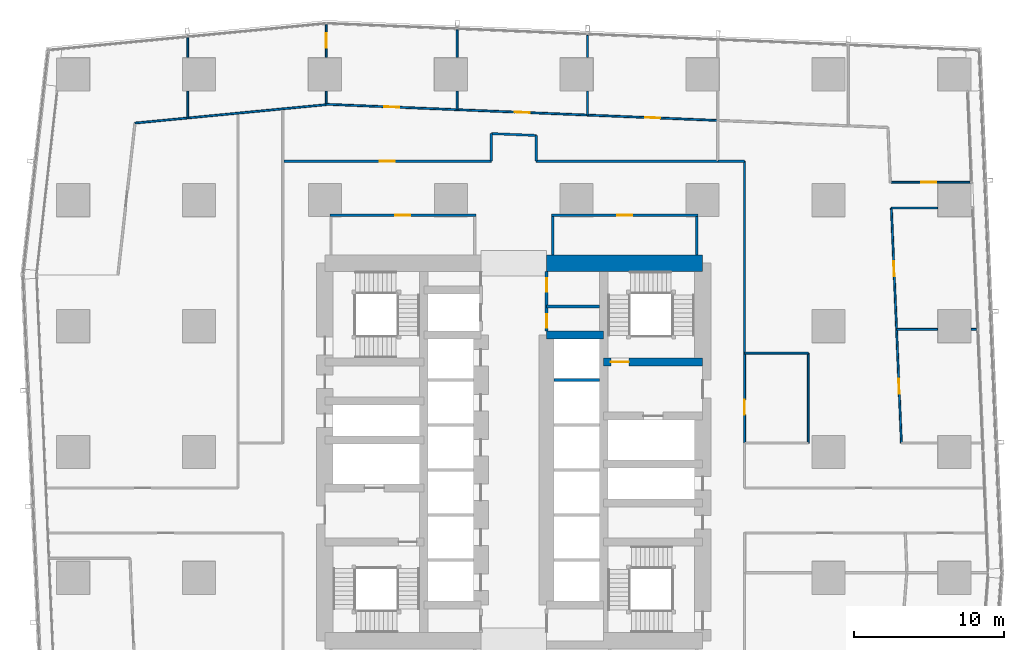
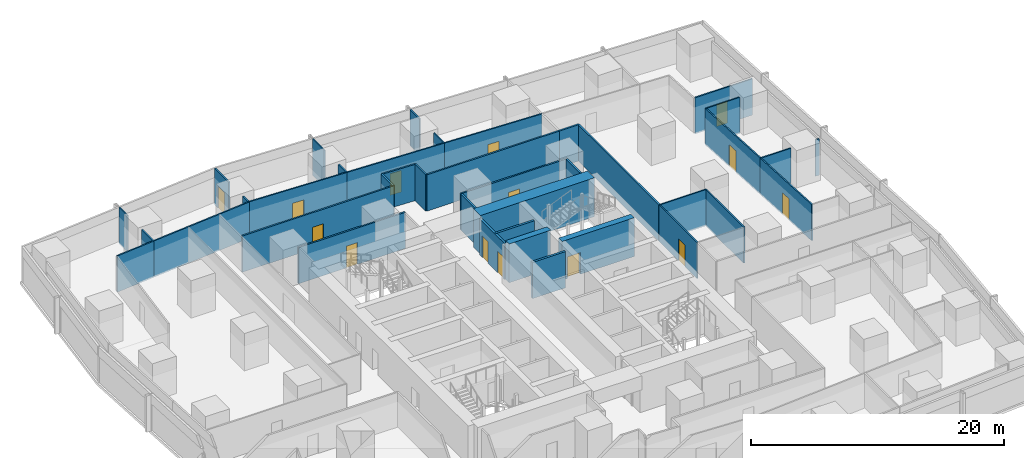
# One storey, part 34 of 44: 39 walls, 14 doors, 14 openings.
"""IFC4 building model written with IfcOpenShell, lengths in metres."""

from ifc_helpers import new_model, si_unit, direction, frame, frame_2d, origin, place, context, subcontext, project, spatial, rectangle, extrude, material, layer, layer_set, type_object, element, fill, save


model = new_model("IFC4")

# Units and contexts
model_context = context("Model", 3, precision=1e-05, world=origin(), true_north=direction((0.0, 1.0)))
body_context = subcontext(model_context, "Body", "Model", "MODEL_VIEW")
ifc_project = project(units=[si_unit("LENGTHUNIT", "METRE"), si_unit("AREAUNIT", "SQUARE_METRE"), si_unit("VOLUMEUNIT", "CUBIC_METRE"), si_unit("PLANEANGLEUNIT", "RADIAN"), si_unit("MASSUNIT", "GRAM", prefix="KILO")], contexts=[model_context])

# Site, building, storey
site_placement = place(None, origin())
site = spatial("IfcSite", under=ifc_project, at=site_placement, CompositionType="ELEMENT")
building_placement = place(site_placement, origin())
building = spatial("IfcBuilding", under=site, at=building_placement, Name="Rekha Terrace Tower", CompositionType="ELEMENT")
storey_placement = place(building_placement, frame((0.0, 0.0, 74.14990234375)))
storey = spatial("IfcBuildingStorey", under=building, at=storey_placement, Name="L18", CompositionType="ELEMENT", Elevation=74.14990234375)

# Wall
ifc_material_1 = material(Name="Concrete M70", Category="concrete")
ifc_layer_1 = layer(ifc_material_1, 0.550048828125)
ifc_layer_set_1 = layer_set([ifc_layer_1], Name="Concrete M70")
wall_type_1 = type_object("IfcWallType", Name="CI1 550 core internal shear wall", PredefinedType="SHEAR", material=ifc_layer_set_1)
wall_1_placement = place(storey_placement, frame((40.0, 41.39990234375, 0.0), z_axis=(0.0, 0.0, 1.0), x_axis=(1.0, 0.0, 0.0)))
element("IfcWall", 1, at=wall_1_placement, inside=storey, type_object=wall_type_1, Name="Core wall Y414E L18", PredefinedType="SHEAR", context=body_context, shape_type="SweptSolid", body=[
    extrude(rectangle(XDim=3.800048828125, YDim=0.550048828125, at=frame_2d((1.89990234375, 0.0))), origin(), (0.0, 0.0, 1.0), 3.75),
])

# Wall, opening, door
wall_2_placement = place(storey_placement, frame((43.800048828125, 39.60009765625, 0.0), z_axis=(0.0, 0.0, 1.0), x_axis=(1.0, 0.0, 0.0)))
wall_2 = element("IfcWall", 2, at=wall_2_placement, inside=storey, type_object=wall_type_1, Name="Core wall Y396E L18", PredefinedType="SHEAR", context=body_context, shape_type="SweptSolid", body=[
    extrude(rectangle(XDim=6.599853515625, YDim=0.550048828125, at=frame_2d((3.2998046875, 0.0))), origin(), (0.0, 0.0, 1.0), 3.75),
])
opening_1_placement = place(wall_2_placement, frame((0.47509765625, 0.0, 0.0)))
opening_1 = element("IfcOpeningElement", 3, at=opening_1_placement, cuts=wall_2, Name="Opening D1", PredefinedType="OPENING", context=body_context, shape_type="SweptSolid", body=[
    extrude(rectangle(XDim=1.199951171875, YDim=2.10009765625, at=frame_2d((0.60009765625, 1.050048828125))), frame((0.0, 0.284912109375, 0.0), z_axis=(0.0, -1.0, 0.0), x_axis=(1.0, 0.0, 0.0)), (0.0, 0.0, 1.0), 0.570068359375),
])
ifc_material_2 = material(Name="Steel fire door", Category="steel")
door_type_1 = type_object("IfcDoorType", Name="D1 1200x2100 stair fire door", OperationType="SINGLE_SWING_RIGHT", PredefinedType="DOOR", material=ifc_material_2)
door_1_placement = place(opening_1_placement, origin())
door_1 = element("IfcDoor", 4, at=door_1_placement, inside=storey, type_object=door_type_1, Name="Stair ST2 door L18", OperationType="SINGLE_SWING_RIGHT", OverallHeight=2.10009765625, OverallWidth=1.199951171875, PredefinedType="DOOR", context=body_context, shape_type="SweptSolid", body=[
    extrude(rectangle(XDim=1.199951171875, YDim=2.10009765625, at=frame_2d((0.60009765625, 1.050048828125))), frame((0.0, 0.02490234375, 0.0), z_axis=(0.0, -1.0, 0.0), x_axis=(1.0, 0.0, 0.0)), (0.0, 0.0, 1.0), 0.050048828125),
])
fill(opening_1, door_1)

# Wall
ifc_layer_2 = layer(ifc_material_1, 1.10009765625)
ifc_layer_set_2 = layer_set([ifc_layer_2], Name="Concrete M70")
wall_type_2 = type_object("IfcWallType", Name="SW1 1100 core outer shear wall", PredefinedType="SHEAR", material=ifc_layer_set_2)
wall_3_placement = place(storey_placement, frame((40.0, 46.199951171875, 0.0), z_axis=(0.0, 0.0, 1.0), x_axis=(1.0, 0.0, 0.0)))
element("IfcWall", 5, at=wall_3_placement, inside=storey, type_object=wall_type_2, Name="Core wall N2 L18", PredefinedType="SHEAR", context=body_context, shape_type="SweptSolid", body=[
    extrude(rectangle(XDim=10.39990234375, YDim=1.10009765625, at=frame_2d((5.199951171875, 0.0))), origin(), (0.0, 0.0, 1.0), 3.75),
])

# Wall, opening, door
ifc_material_3 = material(Name="Concrete block masonry, 1 hour", Category="masonry")
ifc_layer_3 = layer(ifc_material_3, 0.14990234375)
ifc_layer_set_3 = layer_set([ifc_layer_3], Name="Concrete block masonry, 1 hour")
wall_type_3 = type_object("IfcWallType", Name="WP2 150 tenancy partition", PredefinedType="PARTITIONING", material=ifc_layer_set_3)
wall_4_placement = place(storey_placement, frame((40.324951171875, 49.39990234375, 0.0), z_axis=(0.0, 0.0, 1.0), x_axis=(1.0, 0.0, 0.0)))
wall_4 = element("IfcWall", 6, at=wall_4_placement, inside=storey, type_object=wall_type_3, Name="Women's WC wall L18", PredefinedType="PARTITIONING", context=body_context, shape_type="SweptSolid", body=[
    extrude(rectangle(XDim=9.75, YDim=0.14990234375, at=frame_2d((4.875, 0.0))), origin(), (0.0, 0.0, 1.0), 3.5),
])
opening_2_placement = place(wall_4_placement, frame((4.375, 0.0, 0.0)))
opening_2 = element("IfcOpeningElement", 7, at=opening_2_placement, cuts=wall_4, Name="Opening D3", PredefinedType="OPENING", context=body_context, shape_type="SweptSolid", body=[
    extrude(rectangle(XDim=1.0, YDim=2.10009765625, at=frame_2d((0.5, 1.050048828125))), frame((0.0, 0.0849609375, 0.0), z_axis=(0.0, -1.0, 0.0), x_axis=(1.0, 0.0, 0.0)), (0.0, 0.0, 1.0), 0.169921875),
])
ifc_material_4 = material(Name="Laminated timber fire door", Category="wood")
door_type_2 = type_object("IfcDoorType", Name="D3 1000x2100 WC door", OperationType="SINGLE_SWING_LEFT", PredefinedType="DOOR", material=ifc_material_4)
door_2_placement = place(opening_2_placement, origin())
door_2 = element("IfcDoor", 8, at=door_2_placement, inside=storey, type_object=door_type_2, Name="Door women's wc L18", OperationType="SINGLE_SWING_LEFT", OverallHeight=2.10009765625, OverallWidth=1.0, PredefinedType="DOOR", context=body_context, shape_type="SweptSolid", body=[
    extrude(rectangle(XDim=1.0, YDim=2.10009765625, at=frame_2d((0.5, 1.050048828125))), frame((0.0, 0.02490234375, 0.0), z_axis=(0.0, -1.0, 0.0), x_axis=(1.0, 0.0, 0.0)), (0.0, 0.0, 1.0), 0.050048828125),
])
fill(opening_2, door_2)

# Walls
for number, where, z_axis, x_axis, name in (
    (9, (40.39990234375, 46.75, 0.0), (0.0, 0.0, 1.0), (0.0, 1.0, 0.0), "Women's WC wall L18"),
    (10, (50.0, 46.75, 0.0), (0.0, 0.0, 1.0), (0.0, 1.0, 0.0), "Women's WC wall L18"),
):
    element("IfcWall", number, at=place(storey_placement, frame(where, z_axis=z_axis, x_axis=x_axis)), inside=storey, type_object=wall_type_3, Name=name, PredefinedType="PARTITIONING", context=body_context, shape_type="SweptSolid", body=[
        extrude(rectangle(XDim=2.574951171875, YDim=0.14990234375, at=frame_2d((1.28759765625, 0.0))), origin(), (0.0, 0.0, 1.0), 3.5),
    ])

# Wall, opening, door
wall_5_placement = place(storey_placement, frame((25.52490234375, 49.39990234375, 0.0), z_axis=(0.0, 0.0, 1.0), x_axis=(1.0, 0.0, 0.0)))
wall_5 = element("IfcWall", 11, at=wall_5_placement, inside=storey, type_object=wall_type_3, Name="Women's WC wall L18", PredefinedType="PARTITIONING", context=body_context, shape_type="SweptSolid", body=[
    extrude(rectangle(XDim=9.75, YDim=0.14990234375, at=frame_2d((4.875, 0.0))), origin(), (0.0, 0.0, 1.0), 3.5),
])
opening_3_placement = place(wall_5_placement, frame((4.375, 0.0, 0.0)))
opening_3 = element("IfcOpeningElement", 12, at=opening_3_placement, cuts=wall_5, Name="Opening D3", PredefinedType="OPENING", context=body_context, shape_type="SweptSolid", body=[
    extrude(rectangle(XDim=1.0, YDim=2.10009765625, at=frame_2d((0.5, 1.050048828125))), frame((0.0, 0.0849609375, 0.0), z_axis=(0.0, -1.0, 0.0), x_axis=(1.0, 0.0, 0.0)), (0.0, 0.0, 1.0), 0.169921875),
])
door_3_placement = place(opening_3_placement, origin())
door_3 = element("IfcDoor", 13, at=door_3_placement, inside=storey, type_object=door_type_2, Name="Door women's wc L18", OperationType="SINGLE_SWING_LEFT", OverallHeight=2.10009765625, OverallWidth=1.0, PredefinedType="DOOR", context=body_context, shape_type="SweptSolid", body=[
    extrude(rectangle(XDim=1.0, YDim=2.10009765625, at=frame_2d((0.5, 1.050048828125))), frame((0.0, 0.02490234375, 0.0), z_axis=(0.0, -1.0, 0.0), x_axis=(1.0, 0.0, 0.0)), (0.0, 0.0, 1.0), 0.050048828125),
])
fill(opening_3, door_3)

# Walls
wall_6_placement = place(storey_placement, frame((53.199951171875, 40.199951171875, 0.0), z_axis=(0.0, 0.0, 1.0), x_axis=(0.0, 1.0, 0.0)))
element("IfcWall", 14, at=wall_6_placement, inside=storey, type_object=wall_type_3, Name="Partition L18-O2", PredefinedType="PARTITIONING", context=body_context, shape_type="SweptSolid", body=[
    extrude(rectangle(XDim=12.800048828125, YDim=0.14990234375, at=frame_2d((6.39990234375, 0.0))), origin(), (0.0, 0.0, 1.0), 3.5),
])
wall_7_placement = place(storey_placement, frame((53.199951171875, 53.0, 0.0), z_axis=(0.0, 0.0, 1.0), x_axis=(-1.0, 0.0, 0.0)))
element("IfcWall", 15, at=wall_7_placement, inside=storey, type_object=wall_type_3, Name="Partition L18-O2", PredefinedType="PARTITIONING", context=body_context, shape_type="SweptSolid", body=[
    extrude(rectangle(XDim=1.783935546875, YDim=0.14990234375, at=frame_2d((0.89208984375, 0.0))), origin(), (0.0, 0.0, 1.0), 3.5),
])
wall_8_placement = place(storey_placement, frame((51.4150390625, 53.0, 0.0), z_axis=(0.0, 0.0, 1.0), x_axis=(-1.0, 0.0, 0.0)))
element("IfcWall", 16, at=wall_8_placement, inside=storey, type_object=wall_type_3, Name="Partition L18-O3", PredefinedType="PARTITIONING", context=body_context, shape_type="SweptSolid", body=[
    extrude(rectangle(XDim=12.114990234375, YDim=0.14990234375, at=frame_2d((6.0576171875, 0.0))), origin(), (0.0, 0.0, 1.0), 3.5),
])
wall_9_placement = place(storey_placement, frame((39.300048828125, 53.0, 0.0), z_axis=(0.0, 0.0, 1.0), x_axis=(0.0, 1.0, 0.0)))
element("IfcWall", 17, at=wall_9_placement, inside=storey, type_object=wall_type_3, Name="Partition L18-O3", PredefinedType="PARTITIONING", context=body_context, shape_type="SweptSolid", body=[
    extrude(rectangle(XDim=1.718017578125, YDim=0.14990234375, at=frame_2d((0.85888671875, 0.0))), origin(), (0.0, 0.0, 1.0), 3.5),
])
wall_10_placement = place(storey_placement, frame((39.300048828125, 54.718017578125, 0.0), z_axis=(0.0, 0.0, 1.0), x_axis=(-0.999146548644, 0.041305863176, 0.0)))
element("IfcWall", 18, at=wall_10_placement, inside=storey, type_object=wall_type_3, Name="Partition L18-O3", PredefinedType="PARTITIONING", context=body_context, shape_type="SweptSolid", body=[
    extrude(rectangle(XDim=3.00244140625, YDim=0.14990234375, at=frame_2d((1.501220703125, 0.0))), origin(), (0.0, 0.0, 1.0), 3.5),
])
wall_11_placement = place(storey_placement, frame((36.300048828125, 54.842041015625, 0.0), z_axis=(0.0, 0.0, 1.0), x_axis=(0.0, -1.0, 0.0)))
element("IfcWall", 19, at=wall_11_placement, inside=storey, type_object=wall_type_3, Name="Partition L18-O3", PredefinedType="PARTITIONING", context=body_context, shape_type="SweptSolid", body=[
    extrude(rectangle(XDim=1.842041015625, YDim=0.14990234375, at=frame_2d((0.9208984375, 0.0))), origin(), (0.0, 0.0, 1.0), 3.5),
])

# Wall, opening, door
wall_12_placement = place(storey_placement, frame((36.300048828125, 53.0, 0.0), z_axis=(0.0, 0.0, 1.0), x_axis=(-1.0, 0.0, 0.0)))
wall_12 = element("IfcWall", 20, at=wall_12_placement, inside=storey, type_object=wall_type_3, Name="Partition L18-O3", PredefinedType="PARTITIONING", context=body_context, shape_type="SweptSolid", body=[
    extrude(rectangle(XDim=13.838134765625, YDim=0.14990234375, at=frame_2d((6.9189453125, 0.0))), origin(), (0.0, 0.0, 1.0), 3.5),
])
opening_4_placement = place(wall_12_placement, frame((6.449951171875, 0.0, 0.0)))
opening_4 = element("IfcOpeningElement", 21, at=opening_4_placement, cuts=wall_12, Name="Opening D9", PredefinedType="OPENING", context=body_context, shape_type="SweptSolid", body=[
    extrude(rectangle(XDim=1.0, YDim=2.10009765625, at=frame_2d((0.5, 1.050048828125))), frame((0.0, 0.0849609375, 0.0), z_axis=(0.0, -1.0, 0.0), x_axis=(1.0, 0.0, 0.0)), (0.0, 0.0, 1.0), 0.169921875),
])
ifc_material_5 = material(Name="Timber fire door", Category="wood")
door_type_3 = type_object("IfcDoorType", Name="D9 1000x2100 office door", OperationType="SINGLE_SWING_LEFT", PredefinedType="DOOR", material=ifc_material_5)
door_4_placement = place(opening_4_placement, origin())
door_4 = element("IfcDoor", 22, at=door_4_placement, inside=storey, type_object=door_type_3, Name="Door open-plan office L18", OperationType="SINGLE_SWING_LEFT", OverallHeight=2.10009765625, OverallWidth=1.0, PredefinedType="DOOR", context=body_context, shape_type="SweptSolid", body=[
    extrude(rectangle(XDim=1.0, YDim=2.10009765625, at=frame_2d((0.5, 1.050048828125))), frame((0.0, 0.02490234375, 0.0), z_axis=(0.0, -1.0, 0.0), x_axis=(1.0, 0.0, 0.0)), (0.0, 0.0, 1.0), 0.050048828125),
])
fill(opening_4, door_4)

ifc_material_6 = material(Name="Two layers of fire-rated gypsum board each side on steel studs, acoustic quilt, 1 hour", Category="steel")
ifc_layer_4 = layer(ifc_material_6, 0.125)
ifc_layer_set_4 = layer_set([ifc_layer_4], Name="Two layers of fire-rated gypsum board each side on steel studs, acoustic quilt, 1 hour")
wall_type_4 = type_object("IfcWallType", Name="WP3 125 office partition", PredefinedType="PARTITIONING", material=ifc_layer_set_4)
wall_13_placement = place(storey_placement, frame((63.662109375, 34.201904296875, 0.0), z_axis=(0.0, 0.0, 1.0), x_axis=(-0.042738905229, 0.999086275544, 0.0)))
wall_13 = element("IfcWall", 23, at=wall_13_placement, inside=storey, type_object=wall_type_4, Name="Partition L18-07", PredefinedType="PARTITIONING", context=body_context, shape_type="SweptSolid", body=[
    extrude(rectangle(XDim=7.5859375, YDim=0.125, at=frame_2d((3.79296875, 0.0))), origin(), (0.0, 0.0, 1.0), 3.5),
])
opening_5_placement = place(wall_13_placement, frame((3.29296875, 0.0, 0.0)))
opening_5 = element("IfcOpeningElement", 24, at=opening_5_placement, cuts=wall_13, Name="Opening D9", PredefinedType="OPENING", context=body_context, shape_type="SweptSolid", body=[
    extrude(rectangle(XDim=1.0, YDim=2.10009765625, at=frame_2d((0.5, 1.050048828125))), frame((0.0, 0.072509765625, 0.0), z_axis=(0.0, -1.0, 0.0), x_axis=(1.0, 0.0, 0.0)), (0.0, 0.0, 1.0), 0.14501953125),
])
door_5_placement = place(opening_5_placement, origin())
door_5 = element("IfcDoor", 25, at=door_5_placement, inside=storey, type_object=door_type_3, Name="Door office L18", OperationType="SINGLE_SWING_LEFT", OverallHeight=2.10009765625, OverallWidth=1.0, PredefinedType="DOOR", context=body_context, shape_type="SweptSolid", body=[
    extrude(rectangle(XDim=1.0, YDim=2.10009765625, at=frame_2d((0.5, 1.050048828125))), frame((0.0, 0.02490234375, 0.0), z_axis=(0.0, -1.0, 0.0), x_axis=(1.0, 0.0, 0.0)), (0.0, 0.0, 1.0), 0.050048828125),
])
fill(opening_5, door_5)

# Walls
wall_14_placement = place(storey_placement, frame((63.337890625, 41.781005859375, 0.0), z_axis=(0.0, 0.0, 1.0), x_axis=(1.0, 0.0, 0.0)))
element("IfcWall", 26, at=wall_14_placement, inside=storey, type_object=wall_type_4, Name="Partition L18-07", PredefinedType="PARTITIONING", context=body_context, shape_type="SweptSolid", body=[
    extrude(rectangle(XDim=2.7421875, YDim=0.125, at=frame_2d((1.37109375, 0.0))), origin(), (0.0, 0.0, 1.0), 3.5),
])
wall_15_placement = place(storey_placement, frame((68.320068359375, 41.781005859375, 0.0), z_axis=(0.0, 0.0, 1.0), x_axis=(1.0, 0.0, 0.0)))
element("IfcWall", 27, at=wall_15_placement, inside=storey, type_object=wall_type_4, Name="Partition L18-07", PredefinedType="PARTITIONING", context=body_context, shape_type="SweptSolid", body=[
    extrude(rectangle(XDim=0.343017578125, YDim=0.125, at=frame_2d((0.17138671875, 0.0))), origin(), (0.0, 0.0, 1.0), 3.5),
])

# Wall, opening, door
wall_16_placement = place(storey_placement, frame((63.337890625, 41.781982421875, 0.0), z_axis=(0.0, 0.0, 1.0), x_axis=(-0.042686820675, 0.999088502256, 0.0)))
wall_16 = element("IfcWall", 28, at=wall_16_placement, inside=storey, type_object=wall_type_4, Name="Partition L18-08", PredefinedType="PARTITIONING", context=body_context, shape_type="SweptSolid", body=[
    extrude(rectangle(XDim=8.104248046875, YDim=0.125, at=frame_2d((4.05224609375, 0.0))), origin(), (0.0, 0.0, 1.0), 3.5),
])
opening_6_placement = place(wall_16_placement, frame((3.552001953125, 0.0, 0.0)))
opening_6 = element("IfcOpeningElement", 29, at=opening_6_placement, cuts=wall_16, Name="Opening D9", PredefinedType="OPENING", context=body_context, shape_type="SweptSolid", body=[
    extrude(rectangle(XDim=1.0, YDim=2.10009765625, at=frame_2d((0.5, 1.050048828125))), frame((0.0, 0.072509765625, 0.0), z_axis=(0.0, -1.0, 0.0), x_axis=(1.0, 0.0, 0.0)), (0.0, 0.0, 1.0), 0.14501953125),
])
door_6_placement = place(opening_6_placement, origin())
door_6 = element("IfcDoor", 30, at=door_6_placement, inside=storey, type_object=door_type_3, Name="Door office L18", OperationType="SINGLE_SWING_LEFT", OverallHeight=2.10009765625, OverallWidth=1.0, PredefinedType="DOOR", context=body_context, shape_type="SweptSolid", body=[
    extrude(rectangle(XDim=1.0, YDim=2.10009765625, at=frame_2d((0.5, 1.050048828125))), frame((0.0, 0.02490234375, 0.0), z_axis=(0.0, -1.0, 0.0), x_axis=(1.0, 0.0, 0.0)), (0.0, 0.0, 1.0), 0.050048828125),
])
fill(opening_6, door_6)

# Wall
wall_17_placement = place(storey_placement, frame((62.991943359375, 49.87890625, 0.0), z_axis=(0.0, 0.0, 1.0), x_axis=(1.0, 0.0, 0.0)))
element("IfcWall", 31, at=wall_17_placement, inside=storey, type_object=wall_type_4, Name="Partition L18-08", PredefinedType="PARTITIONING", context=body_context, shape_type="SweptSolid", body=[
    extrude(rectangle(XDim=3.088134765625, YDim=0.125, at=frame_2d((1.5439453125, 0.0))), origin(), (0.0, 0.0, 1.0), 3.5),
])

# Wall, opening, door
wall_18_placement = place(storey_placement, frame((68.243896484375, 51.593017578125, 0.0), z_axis=(0.0, 0.0, 1.0), x_axis=(-1.0, 0.0, 0.0)))
wall_18 = element("IfcWall", 32, at=wall_18_placement, inside=storey, type_object=wall_type_4, Name="Partition L18-09", PredefinedType="PARTITIONING", context=body_context, shape_type="SweptSolid", body=[
    extrude(rectangle(XDim=5.261962890625, YDim=0.125, at=frame_2d((2.630859375, 0.0))), origin(), (0.0, 0.0, 1.0), 3.5),
])
opening_7_placement = place(wall_18_placement, frame((2.260986328125, 0.0, 0.0)))
opening_7 = element("IfcOpeningElement", 33, at=opening_7_placement, cuts=wall_18, Name="Opening D9", PredefinedType="OPENING", context=body_context, shape_type="SweptSolid", body=[
    extrude(rectangle(XDim=1.0, YDim=2.10009765625, at=frame_2d((0.5, 1.050048828125))), frame((0.0, 0.072509765625, 0.0), z_axis=(0.0, -1.0, 0.0), x_axis=(1.0, 0.0, 0.0)), (0.0, 0.0, 1.0), 0.14501953125),
])
door_7_placement = place(opening_7_placement, origin())
door_7 = element("IfcDoor", 34, at=door_7_placement, inside=storey, type_object=door_type_3, Name="Door director's office L18", OperationType="SINGLE_SWING_LEFT", OverallHeight=2.10009765625, OverallWidth=1.0, PredefinedType="DOOR", context=body_context, shape_type="SweptSolid", body=[
    extrude(rectangle(XDim=1.0, YDim=2.10009765625, at=frame_2d((0.5, 1.050048828125))), frame((0.0, 0.02490234375, 0.0), z_axis=(0.0, -1.0, 0.0), x_axis=(1.0, 0.0, 0.0)), (0.0, 0.0, 1.0), 0.050048828125),
])
fill(opening_7, door_7)

# Wall
wall_19_placement = place(storey_placement, frame((57.449951171875, 40.199951171875, 0.0), z_axis=(0.0, 0.0, 1.0), x_axis=(0.0, -1.0, 0.0)))
element("IfcWall", 35, at=wall_19_placement, inside=storey, type_object=wall_type_4, Name="Partition L18-11", PredefinedType="PARTITIONING", context=body_context, shape_type="SweptSolid", body=[
    extrude(rectangle(XDim=6.0, YDim=0.125, at=frame_2d((3.0, 0.0))), origin(), (0.0, 0.0, 1.0), 3.5),
])

# Wall, opening, door
wall_20_placement = place(storey_placement, frame((53.199951171875, 34.199951171875, 0.0), z_axis=(0.0, 0.0, 1.0), x_axis=(0.0, 1.0, 0.0)))
wall_20 = element("IfcWall", 36, at=wall_20_placement, inside=storey, type_object=wall_type_4, Name="Partition L18-11", PredefinedType="PARTITIONING", context=body_context, shape_type="SweptSolid", body=[
    extrude(rectangle(XDim=6.0, YDim=0.125, at=frame_2d((3.0, 0.0))), origin(), (0.0, 0.0, 1.0), 3.5),
])
opening_8_placement = place(wall_20_placement, frame((1.89990234375, 0.0, 0.0)))
opening_8 = element("IfcOpeningElement", 37, at=opening_8_placement, cuts=wall_20, Name="Opening D9", PredefinedType="OPENING", context=body_context, shape_type="SweptSolid", body=[
    extrude(rectangle(XDim=1.0, YDim=2.10009765625, at=frame_2d((0.5, 1.050048828125))), frame((0.0, 0.072509765625, 0.0), z_axis=(0.0, -1.0, 0.0), x_axis=(1.0, 0.0, 0.0)), (0.0, 0.0, 1.0), 0.14501953125),
])
door_8_placement = place(opening_8_placement, origin())
door_8 = element("IfcDoor", 38, at=door_8_placement, inside=storey, type_object=door_type_3, Name="Door reception L18", OperationType="SINGLE_SWING_LEFT", OverallHeight=2.10009765625, OverallWidth=1.0, PredefinedType="DOOR", context=body_context, shape_type="SweptSolid", body=[
    extrude(rectangle(XDim=1.0, YDim=2.10009765625, at=frame_2d((0.5, 1.050048828125))), frame((0.0, 0.02490234375, 0.0), z_axis=(0.0, -1.0, 0.0), x_axis=(1.0, 0.0, 0.0)), (0.0, 0.0, 1.0), 0.050048828125),
])
fill(opening_8, door_8)

# Wall
wall_21_placement = place(storey_placement, frame((53.199951171875, 40.199951171875, 0.0), z_axis=(0.0, 0.0, 1.0), x_axis=(1.0, 0.0, 0.0)))
element("IfcWall", 39, at=wall_21_placement, inside=storey, type_object=wall_type_4, Name="Partition L18-11", PredefinedType="PARTITIONING", context=body_context, shape_type="SweptSolid", body=[
    extrude(rectangle(XDim=4.25, YDim=0.125, at=frame_2d((2.125, 0.0))), origin(), (0.0, 0.0, 1.0), 3.5),
])

# Wall, opening, door
wall_22_placement = place(storey_placement, frame((51.4150390625, 55.719970703125, 0.0), z_axis=(0.0, 0.0, 1.0), x_axis=(-0.99915409193, 0.041122993312, 0.0)))
wall_22 = element("IfcWall", 40, at=wall_22_placement, inside=storey, type_object=wall_type_4, Name="Partition L18-12", PredefinedType="PARTITIONING", context=body_context, shape_type="SweptSolid", body=[
    extrude(rectangle(XDim=8.703369140625, YDim=0.125, at=frame_2d((4.3515625, 0.0))), origin(), (0.0, 0.0, 1.0), 3.5),
])
opening_9_placement = place(wall_22_placement, frame((3.85205078125, 0.0, 0.0)))
opening_9 = element("IfcOpeningElement", 41, at=opening_9_placement, cuts=wall_22, Name="Opening D9", PredefinedType="OPENING", context=body_context, shape_type="SweptSolid", body=[
    extrude(rectangle(XDim=1.0, YDim=2.10009765625, at=frame_2d((0.5, 1.050048828125))), frame((0.0, 0.072509765625, 0.0), z_axis=(0.0, -1.0, 0.0), x_axis=(1.0, 0.0, 0.0)), (0.0, 0.0, 1.0), 0.14501953125),
])
door_9_placement = place(opening_9_placement, origin())
door_9 = element("IfcDoor", 42, at=door_9_placement, inside=storey, type_object=door_type_3, Name="Door office L18", OperationType="SINGLE_SWING_LEFT", OverallHeight=2.10009765625, OverallWidth=1.0, PredefinedType="DOOR", context=body_context, shape_type="SweptSolid", body=[
    extrude(rectangle(XDim=1.0, YDim=2.10009765625, at=frame_2d((0.5, 1.050048828125))), frame((0.0, 0.02490234375, 0.0), z_axis=(0.0, -1.0, 0.0), x_axis=(1.0, 0.0, 0.0)), (0.0, 0.0, 1.0), 0.050048828125),
])
fill(opening_9, door_9)

# Walls
wall_23_placement = place(storey_placement, frame((42.718994140625, 56.077880859375, 0.0), z_axis=(0.0, 0.0, 1.0), x_axis=(0.0, 1.0, 0.0)))
element("IfcWall", 43, at=wall_23_placement, inside=storey, type_object=wall_type_4, Name="Partition L18-12", PredefinedType="PARTITIONING", context=body_context, shape_type="SweptSolid", body=[
    extrude(rectangle(XDim=1.60205078125, YDim=0.125, at=frame_2d((0.801025390625, 0.0))), origin(), (0.0, 0.0, 1.0), 3.5),
])
wall_24_placement = place(storey_placement, frame((42.718994140625, 59.919921875, 0.0), z_axis=(0.0, 0.0, 1.0), x_axis=(0.0, 1.0, 0.0)))
element("IfcWall", 44, at=wall_24_placement, inside=storey, type_object=wall_type_4, Name="Partition L18-12", PredefinedType="PARTITIONING", context=body_context, shape_type="SweptSolid", body=[
    extrude(rectangle(XDim=1.483154296875, YDim=0.125, at=frame_2d((0.74169921875, 0.0))), origin(), (0.0, 0.0, 1.0), 3.5),
])

# Wall, opening, door
wall_25_placement = place(storey_placement, frame((42.718017578125, 56.077880859375, 0.0), z_axis=(0.0, 0.0, 1.0), x_axis=(-0.99914812822, 0.041267637136, 0.0)))
wall_25 = element("IfcWall", 45, at=wall_25_placement, inside=storey, type_object=wall_type_4, Name="Partition L18-13", PredefinedType="PARTITIONING", context=body_context, shape_type="SweptSolid", body=[
    extrude(rectangle(XDim=8.702392578125, YDim=0.125, at=frame_2d((4.35107421875, 0.0))), origin(), (0.0, 0.0, 1.0), 3.5),
])
opening_10_placement = place(wall_25_placement, frame((3.85107421875, 0.0, 0.0)))
opening_10 = element("IfcOpeningElement", 46, at=opening_10_placement, cuts=wall_25, Name="Opening D9", PredefinedType="OPENING", context=body_context, shape_type="SweptSolid", body=[
    extrude(rectangle(XDim=1.0, YDim=2.10009765625, at=frame_2d((0.5, 1.050048828125))), frame((0.0, 0.072509765625, 0.0), z_axis=(0.0, -1.0, 0.0), x_axis=(1.0, 0.0, 0.0)), (0.0, 0.0, 1.0), 0.14501953125),
])
door_10_placement = place(opening_10_placement, origin())
door_10 = element("IfcDoor", 47, at=door_10_placement, inside=storey, type_object=door_type_3, Name="Door office L18", OperationType="SINGLE_SWING_LEFT", OverallHeight=2.10009765625, OverallWidth=1.0, PredefinedType="DOOR", context=body_context, shape_type="SweptSolid", body=[
    extrude(rectangle(XDim=1.0, YDim=2.10009765625, at=frame_2d((0.5, 1.050048828125))), frame((0.0, 0.02490234375, 0.0), z_axis=(0.0, -1.0, 0.0), x_axis=(1.0, 0.0, 0.0)), (0.0, 0.0, 1.0), 0.050048828125),
])
fill(opening_10, door_10)

# Walls
wall_26_placement = place(storey_placement, frame((34.02294921875, 56.43701171875, 0.0), z_axis=(0.0, 0.0, 1.0), x_axis=(0.0, 1.0, 0.0)))
element("IfcWall", 48, at=wall_26_placement, inside=storey, type_object=wall_type_4, Name="Partition L18-13", PredefinedType="PARTITIONING", context=body_context, shape_type="SweptSolid", body=[
    extrude(rectangle(XDim=1.242919921875, YDim=0.125, at=frame_2d((0.62158203125, 0.0))), origin(), (0.0, 0.0, 1.0), 3.5),
])
wall_27_placement = place(storey_placement, frame((34.02294921875, 59.919921875, 0.0), z_axis=(0.0, 0.0, 1.0), x_axis=(0.0, 1.0, 0.0)))
element("IfcWall", 49, at=wall_27_placement, inside=storey, type_object=wall_type_4, Name="Partition L18-13", PredefinedType="PARTITIONING", context=body_context, shape_type="SweptSolid", body=[
    extrude(rectangle(XDim=1.841064453125, YDim=0.125, at=frame_2d((0.92041015625, 0.0))), origin(), (0.0, 0.0, 1.0), 3.5),
])

# Wall, opening, door
wall_28_placement = place(storey_placement, frame((34.02099609375, 56.43701171875, 0.0), z_axis=(0.0, 0.0, 1.0), x_axis=(-0.999150892364, 0.041200658827, 0.0)))
wall_28 = element("IfcWall", 50, at=wall_28_placement, inside=storey, type_object=wall_type_4, Name="Partition L18-14", PredefinedType="PARTITIONING", context=body_context, shape_type="SweptSolid", body=[
    extrude(rectangle(XDim=8.740234375, YDim=0.125, at=frame_2d((4.3701171875, 0.0))), origin(), (0.0, 0.0, 1.0), 3.5),
])
opening_11_placement = place(wall_28_placement, frame((3.868896484375, 0.0, 0.0)))
opening_11 = element("IfcOpeningElement", 51, at=opening_11_placement, cuts=wall_28, Name="Opening D9", PredefinedType="OPENING", context=body_context, shape_type="SweptSolid", body=[
    extrude(rectangle(XDim=1.0, YDim=2.10009765625, at=frame_2d((0.5, 1.050048828125))), frame((0.0, 0.072509765625, 0.0), z_axis=(0.0, -1.0, 0.0), x_axis=(1.0, 0.0, 0.0)), (0.0, 0.0, 1.0), 0.14501953125),
])
door_11_placement = place(opening_11_placement, origin())
door_11 = element("IfcDoor", 52, at=door_11_placement, inside=storey, type_object=door_type_3, Name="Door office L18", OperationType="SINGLE_SWING_LEFT", OverallHeight=2.10009765625, OverallWidth=1.0, PredefinedType="DOOR", context=body_context, shape_type="SweptSolid", body=[
    extrude(rectangle(XDim=1.0, YDim=2.10009765625, at=frame_2d((0.5, 1.050048828125))), frame((0.0, 0.02490234375, 0.0), z_axis=(0.0, -1.0, 0.0), x_axis=(1.0, 0.0, 0.0)), (0.0, 0.0, 1.0), 0.050048828125),
])
fill(opening_11, door_11)

# Wall
wall_29_placement = place(storey_placement, frame((25.291015625, 56.85888671875, 0.0), z_axis=(0.0, 0.0, 1.0), x_axis=(0.0, 1.0, 0.0)))
element("IfcWall", 53, at=wall_29_placement, inside=storey, type_object=wall_type_4, Name="Partition L18-14", PredefinedType="PARTITIONING", context=body_context, shape_type="SweptSolid", body=[
    extrude(rectangle(XDim=0.821044921875, YDim=0.125, at=frame_2d((0.41064453125, 0.0))), origin(), (0.0, 0.0, 1.0), 3.5),
])

# Wall, opening, door
wall_30_placement = place(storey_placement, frame((25.291015625, 59.919921875, 0.0), z_axis=(0.0, 0.0, 1.0), x_axis=(0.0, 1.0, 0.0)))
wall_30 = element("IfcWall", 54, at=wall_30_placement, inside=storey, type_object=wall_type_4, Name="Partition L18-14", PredefinedType="PARTITIONING", context=body_context, shape_type="SweptSolid", body=[
    extrude(rectangle(XDim=2.196044921875, YDim=0.125, at=frame_2d((1.09814453125, 0.0))), origin(), (0.0, 0.0, 1.0), 3.5),
])
opening_12_placement = place(wall_30_placement, frame((0.633056640625, 0.0, 0.0)))
opening_12 = element("IfcOpeningElement", 55, at=opening_12_placement, cuts=wall_30, Name="Opening D9", PredefinedType="OPENING", context=body_context, shape_type="SweptSolid", body=[
    extrude(rectangle(XDim=1.0, YDim=2.10009765625, at=frame_2d((0.5, 1.050048828125))), frame((0.0, 0.072509765625, 0.0), z_axis=(0.0, -1.0, 0.0), x_axis=(1.0, 0.0, 0.0)), (0.0, 0.0, 1.0), 0.14501953125),
])
door_12_placement = place(opening_12_placement, origin())
door_12 = element("IfcDoor", 56, at=door_12_placement, inside=storey, type_object=door_type_3, Name="Door office L18", OperationType="SINGLE_SWING_LEFT", OverallHeight=2.10009765625, OverallWidth=1.0, PredefinedType="DOOR", context=body_context, shape_type="SweptSolid", body=[
    extrude(rectangle(XDim=1.0, YDim=2.10009765625, at=frame_2d((0.5, 1.050048828125))), frame((0.0, 0.02490234375, 0.0), z_axis=(0.0, -1.0, 0.0), x_axis=(1.0, 0.0, 0.0)), (0.0, 0.0, 1.0), 0.050048828125),
])
fill(opening_12, door_12)

# Walls
wall_31_placement = place(storey_placement, frame((25.287109375, 56.77197265625, 0.0), z_axis=(0.0, 0.0, 1.0), x_axis=(-0.995407630517, -0.095726950797, 0.0)))
element("IfcWall", 57, at=wall_31_placement, inside=storey, type_object=wall_type_4, Name="Partition L18-15", PredefinedType="PARTITIONING", context=body_context, shape_type="SweptSolid", body=[
    extrude(rectangle(XDim=9.275634765625, YDim=0.125, at=frame_2d((4.6376953125, 0.0))), origin(), (0.0, 0.0, 1.0), 3.5),
])
wall_32_placement = place(storey_placement, frame((16.053955078125, 55.884033203125, 0.0), z_axis=(0.0, 0.0, 1.0), x_axis=(0.0, 1.0, 0.0)))
element("IfcWall", 58, at=wall_32_placement, inside=storey, type_object=wall_type_4, Name="Partition L18-15", PredefinedType="PARTITIONING", context=body_context, shape_type="SweptSolid", body=[
    extrude(rectangle(XDim=1.7958984375, YDim=0.125, at=frame_2d((0.89794921875, 0.0))), origin(), (0.0, 0.0, 1.0), 3.5),
])
wall_33_placement = place(storey_placement, frame((16.053955078125, 59.919921875, 0.0), z_axis=(0.0, 0.0, 1.0), x_axis=(0.0, 1.0, 0.0)))
element("IfcWall", 59, at=wall_33_placement, inside=storey, type_object=wall_type_4, Name="Partition L18-15", PredefinedType="PARTITIONING", context=body_context, shape_type="SweptSolid", body=[
    extrude(rectangle(XDim=1.30810546875, YDim=0.125, at=frame_2d((0.654052734375, 0.0))), origin(), (0.0, 0.0, 1.0), 3.5),
])
wall_34_placement = place(storey_placement, frame((16.052978515625, 55.883056640625, 0.0), z_axis=(0.0, 0.0, 1.0), x_axis=(-0.995420403314, -0.095594040951, 0.0)))
element("IfcWall", 60, at=wall_34_placement, inside=storey, type_object=wall_type_4, Name="Partition L18-16", PredefinedType="PARTITIONING", context=body_context, shape_type="SweptSolid", body=[
    extrude(rectangle(XDim=3.537109375, YDim=0.125, at=frame_2d((1.7685546875, 0.0))), origin(), (0.0, 0.0, 1.0), 3.5),
])
ifc_material_7 = material(Name="Solid concrete block masonry, 2 hour", Category="masonry")
ifc_layer_5 = layer(ifc_material_7, 0.199951171875)
ifc_layer_set_5 = layer_set([ifc_layer_5], Name="Solid concrete block masonry, 2 hour")
wall_type_5 = type_object("IfcWallType", Name="WS1 200 stair and shaft enclosure", PredefinedType="PARTITIONING", material=ifc_layer_set_5)
wall_35_placement = place(storey_placement, frame((40.5, 38.39990234375, 0.0), z_axis=(0.0, 0.0, 1.0), x_axis=(1.0, 0.0, 0.0)))
element("IfcWall", 61, at=wall_35_placement, inside=storey, type_object=wall_type_5, Name="Lift shaft divider L18", PredefinedType="PARTITIONING", context=body_context, shape_type="SweptSolid", body=[
    extrude(rectangle(XDim=3.02490234375, YDim=0.199951171875, at=frame_2d((1.512451171875, 0.0))), origin(), (0.0, 0.0, 1.0), 3.5),
])

# Wall, openings, doors
wall_36_placement = place(storey_placement, frame((40.0, 41.675048828125, 0.0), z_axis=(0.0, 0.0, 1.0), x_axis=(0.0, 1.0, 0.0)))
wall_36 = element("IfcWall", 62, at=wall_36_placement, inside=storey, type_object=wall_type_5, Name="Core partition elec L18", PredefinedType="PARTITIONING", context=body_context, shape_type="SweptSolid", body=[
    extrude(rectangle(XDim=3.974853515625, YDim=0.199951171875, at=frame_2d((1.9873046875, 0.0))), origin(), (0.0, 0.0, 1.0), 3.5),
])
opening_13_placement = place(wall_36_placement, frame((2.625, 0.0, 0.0)))
opening_13 = element("IfcOpeningElement", 63, at=opening_13_placement, cuts=wall_36, Name="Opening D5", PredefinedType="OPENING", context=body_context, shape_type="SweptSolid", body=[
    extrude(rectangle(XDim=0.89990234375, YDim=2.10009765625, at=frame_2d((0.449951171875, 1.050048828125))), frame((0.0, 0.10986328125, 0.0), z_axis=(0.0, -1.0, 0.0), x_axis=(1.0, 0.0, 0.0)), (0.0, 0.0, 1.0), 0.219970703125),
])
opening_14_placement = place(wall_36_placement, frame((0.22509765625, 0.0, 0.0)))
opening_14 = element("IfcOpeningElement", 64, at=opening_14_placement, cuts=wall_36, Name="Opening D5", PredefinedType="OPENING", context=body_context, shape_type="SweptSolid", body=[
    extrude(rectangle(XDim=0.89990234375, YDim=2.10009765625, at=frame_2d((0.449951171875, 1.050048828125))), frame((0.0, 0.10986328125, 0.0), z_axis=(0.0, -1.0, 0.0), x_axis=(1.0, 0.0, 0.0)), (0.0, 0.0, 1.0), 0.219970703125),
])
door_type_4 = type_object("IfcDoorType", Name="D5 900x2100 riser access door", OperationType="SINGLE_SWING_LEFT", PredefinedType="DOOR", material=ifc_material_2)
door_13_placement = place(opening_13_placement, origin())
door_13 = element("IfcDoor", 65, at=door_13_placement, inside=storey, type_object=door_type_4, Name="Door electrical room L18", OperationType="SINGLE_SWING_LEFT", OverallHeight=2.10009765625, OverallWidth=0.89990234375, PredefinedType="DOOR", context=body_context, shape_type="SweptSolid", body=[
    extrude(rectangle(XDim=0.89990234375, YDim=2.10009765625, at=frame_2d((0.449951171875, 1.050048828125))), frame((0.0, 0.02490234375, 0.0), z_axis=(0.0, -1.0, 0.0), x_axis=(1.0, 0.0, 0.0)), (0.0, 0.0, 1.0), 0.050048828125),
])
fill(opening_13, door_13)
door_14_placement = place(opening_14_placement, origin())
door_14 = element("IfcDoor", 66, at=door_14_placement, inside=storey, type_object=door_type_4, Name="Door stationery store L18", OperationType="SINGLE_SWING_LEFT", OverallHeight=2.10009765625, OverallWidth=0.89990234375, PredefinedType="DOOR", context=body_context, shape_type="SweptSolid", body=[
    extrude(rectangle(XDim=0.89990234375, YDim=2.10009765625, at=frame_2d((0.449951171875, 1.050048828125))), frame((0.0, 0.02490234375, 0.0), z_axis=(0.0, -1.0, 0.0), x_axis=(1.0, 0.0, 0.0)), (0.0, 0.0, 1.0), 0.050048828125),
])
fill(opening_14, door_14)

# Wall
wall_37_placement = place(storey_placement, frame((40.0, 43.300048828125, 0.0), z_axis=(0.0, 0.0, 1.0), x_axis=(1.0, 0.0, 0.0)))
element("IfcWall", 67, at=wall_37_placement, inside=storey, type_object=wall_type_5, Name="Core partition elx L18", PredefinedType="PARTITIONING", context=body_context, shape_type="SweptSolid", body=[
    extrude(rectangle(XDim=3.52490234375, YDim=0.199951171875, at=frame_2d((1.762451171875, 0.0))), origin(), (0.0, 0.0, 1.0), 3.5),
])

save(model, "model.ifc")
